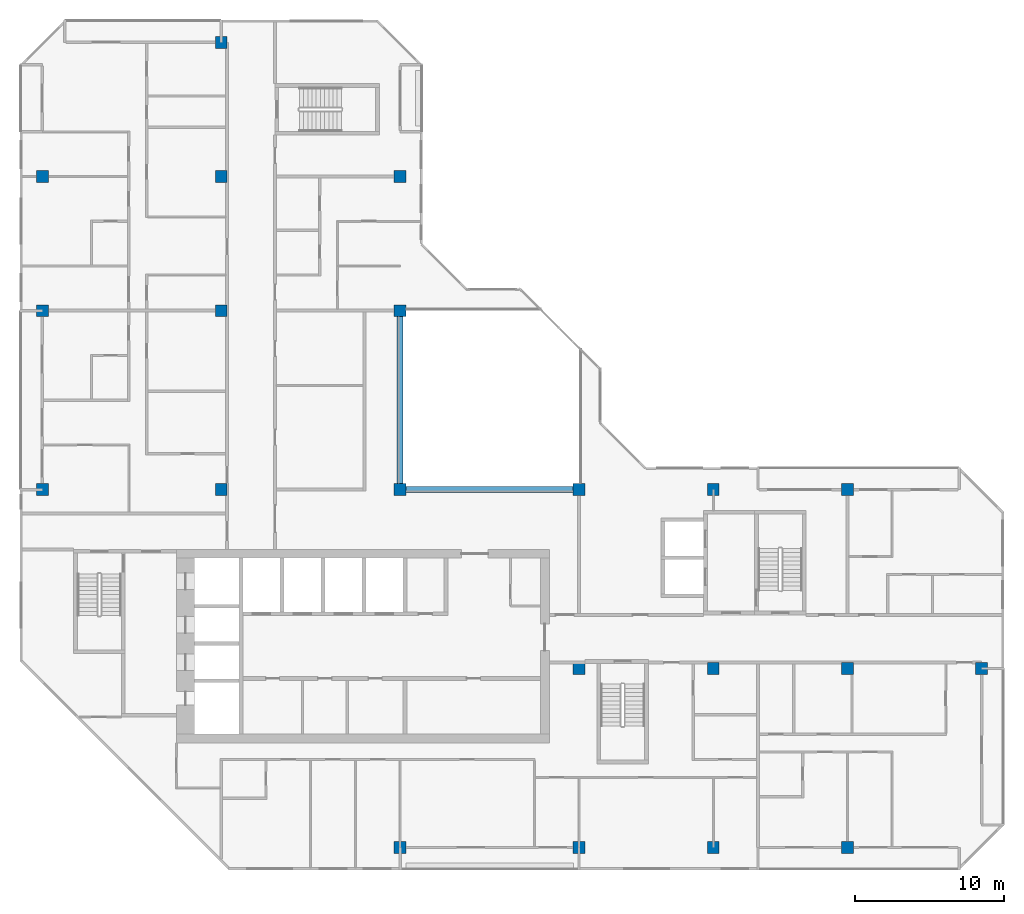
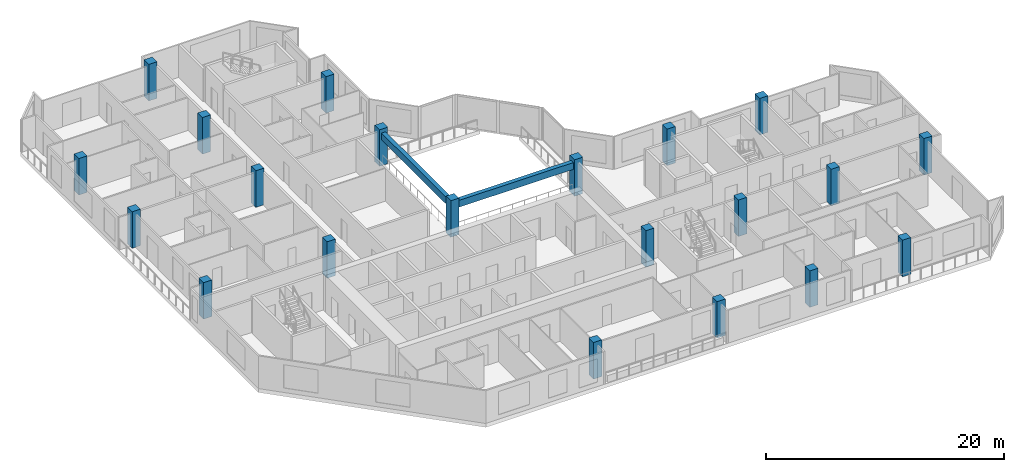
# One storey, part 1 of 13: 21 columns, 2 beams.
"""IFC4 building model written with IfcOpenShell, lengths in metres."""

import ifcopenshell
import ifcopenshell.guid

model = None  # the IFC model being written
_history = None  # IfcOwnerHistory: only IFC2X3 demands one
_inside = {}  # id of a spatial element -> (the spatial element, [elements in it])
_under = {}  # id of a project, library or spatial element -> (it, [spatial elements below it])
_declared = {}  # id of a project -> (the project, [libraries it declares])
_typed = {}  # id of a type object -> (the type object, [elements of that type])
_made_of = {}  # id of a material, layer set ... -> (it, [elements and type objects made of it])


def new_model(schema):
    """Start an empty IFC model of exactly this schema.

    Asked for "IFC4X3", IfcOpenShell would pick the latest addendum, in which some entities
    have other attributes; the version numbers below select the first issue.
    IFC2X3 requires an IfcOwnerHistory on every rooted entity: one is made here for all.
    """
    global model, _history
    if schema == "IFC4X3":
        model = ifcopenshell.file(schema_version=(4, 3, 0, 0))
    else:
        model = ifcopenshell.file(schema=schema)
    _inside.clear()
    _under.clear()
    _declared.clear()
    _typed.clear()
    _made_of.clear()
    _history = None
    if model.schema == "IFC2X3":
        org = make("IfcOrganization", Name="unknown")
        user = make(
            "IfcPersonAndOrganization",
            ThePerson=make("IfcPerson", FamilyName="unknown"),
            TheOrganization=org,
        )
        app = make(
            "IfcApplication",
            ApplicationDeveloper=org,
            Version="unknown",
            ApplicationFullName="unknown",
            ApplicationIdentifier="unknown",
        )
        _history = make(
            "IfcOwnerHistory",
            OwningUser=user,
            OwningApplication=app,
            ChangeAction="ADDED",
            CreationDate=0,
        )
    return model


def make(cls, **values):
    """One entity of the class cls with the attributes given. An attribute that is None is left unset."""
    return model.create_entity(
        cls, **{name: value for name, value in values.items() if value is not None}
    )


def rooted(cls, **values):
    """An entity with a GlobalId (a new one), such as an element, a storey or a relation."""
    return make(cls, GlobalId=ifcopenshell.guid.new(), OwnerHistory=_history, **values)


def si_unit(unit_type, name, prefix=None):
    """IfcSIUnit, for example si_unit("LENGTHUNIT", "METRE", prefix="MILLI")."""
    return make("IfcSIUnit", UnitType=unit_type, Prefix=prefix, Name=name)


def assignment(units):
    """IfcUnitAssignment: the units of a project."""
    return None if units is None else make("IfcUnitAssignment", Units=units)


def point(xyz):
    """IfcCartesianPoint."""
    return None if xyz is None else make("IfcCartesianPoint", Coordinates=xyz)


def direction(xyz):
    """IfcDirection."""
    return None if xyz is None else make("IfcDirection", DirectionRatios=xyz)


def frame(location, z_axis=None, x_axis=None):
    """IfcAxis2Placement3D, a coordinate frame: its origin and axes. An axis left out is left unset."""
    return make(
        "IfcAxis2Placement3D",
        Location=point(location),
        Axis=direction(z_axis),
        RefDirection=direction(x_axis),
    )


def frame_2d(location, x_axis=None):
    """IfcAxis2Placement2D, a coordinate frame in the plane: its origin and x axis."""
    return make(
        "IfcAxis2Placement2D", Location=point(location), RefDirection=direction(x_axis)
    )


def origin():
    """The frame at (0, 0, 0) with its axes left unset."""
    return frame((0.0, 0.0, 0.0))


def origin_2d():
    """The frame at (0, 0) in the plane with its x axis left unset."""
    return frame_2d((0.0, 0.0))


def place(relative_to, where):
    """IfcLocalPlacement: puts the frame where relative to a parent placement (None: the world)."""
    return make(
        "IfcLocalPlacement", PlacementRelTo=relative_to, RelativePlacement=where
    )


def context(
    kind, dimensions, precision=None, world=None, true_north=None, identifier=None
):
    """IfcGeometricRepresentationContext, for example the 3D "Model" context."""
    return make(
        "IfcGeometricRepresentationContext",
        ContextIdentifier=identifier,
        ContextType=kind,
        CoordinateSpaceDimension=dimensions,
        Precision=precision,
        WorldCoordinateSystem=world,
        TrueNorth=true_north,
    )


def subcontext(parent, identifier, kind, view, scale=None):
    """IfcGeometricRepresentationSubContext, for example "Body" below "Model"."""
    return make(
        "IfcGeometricRepresentationSubContext",
        ContextIdentifier=identifier,
        ContextType=kind,
        ParentContext=parent,
        TargetScale=scale,
        TargetView=view,
    )


def project(units=None, contexts=None):
    """IfcProject with its units and contexts."""
    return rooted(
        "IfcProject",
        Name="project",
        RepresentationContexts=contexts,
        UnitsInContext=assignment(units),
    )


def spatial(cls, under=None, at=None, **own):
    """A site, building, storey or space (cls), placed at a placement, below another one or the project."""
    s = rooted(cls, ObjectPlacement=at, **own)
    if under is not None:
        _under.setdefault(under.id(), (under, []))[1].append(s)
    return s


def profile(cls, at=None, kind="AREA", **sizes):
    """A parametric profile (cls). Its sizes go by their IFC names, for example OverallWidth=200.0."""
    return make(cls, ProfileType=kind, Position=at, **sizes)


def rectangle(**sizes):
    """IfcRectangleProfileDef."""
    return profile("IfcRectangleProfileDef", **sizes)


def extrude(swept, where, along, depth):
    """IfcExtrudedAreaSolid: the profile swept, set in the frame where, extruded along a direction by depth."""
    return make(
        "IfcExtrudedAreaSolid",
        SweptArea=swept,
        Position=where,
        ExtrudedDirection=direction(along),
        Depth=depth,
    )


def shape(context_of_items, identifier, shape_type, items):
    """IfcShapeRepresentation: the items that make up one representation, for example the "Body"."""
    return make(
        "IfcShapeRepresentation",
        ContextOfItems=context_of_items,
        RepresentationIdentifier=identifier,
        RepresentationType=shape_type,
        Items=items,
    )


def material(Name=None, Category=None):
    """IfcMaterial."""
    return make("IfcMaterial", Name=Name, Category=Category)


def material_profile(
    of_material, cross_section, Name=None, Category=None, Priority=None
):
    """IfcMaterialProfile: a cross section and its material."""
    return make(
        "IfcMaterialProfile",
        Name=Name,
        Material=of_material,
        Profile=cross_section,
        Priority=Priority,
        Category=Category,
    )


def profile_set(profiles, Name=None, composite=None):
    """IfcMaterialProfileSet."""
    return make(
        "IfcMaterialProfileSet",
        Name=Name,
        MaterialProfiles=profiles,
        CompositeProfile=composite,
    )


def made_of(thing, what):
    """Note that an element or type object is made of a material, layer set ...; save() writes the relation."""
    if what is not None:
        _made_of.setdefault(what.id(), (what, []))[1].append(thing)
    return thing


def type_object(cls, material=None, **own):
    """A type object (cls), such as IfcWallType, which elements share."""
    return made_of(rooted(cls, **own), material)


def element(
    cls,
    number,
    at=None,
    inside=None,
    cuts=None,
    type_object=None,
    material=None,
    context=None,
    identifier="Body",
    shape_type=None,
    held_by="IfcProductDefinitionShape",
    body=None,
    shapes=None,
    **own,
):
    """One element of the class cls, such as IfcWall. Its Tag is "e" and its number.

    at: its placement. inside: the storey or other place that contains it. cuts: it is an
    opening in that element (IfcRelVoidsElement). A single representation is given by context,
    identifier, shape_type and body (its items); several are given by shapes. held_by: the class
    of the entity that holds the representations. save() writes the other relations.
    """
    e = rooted(cls, Tag="e%d" % number, ObjectPlacement=at, **own)
    if body is not None:
        shapes = [shape(context, identifier, shape_type, body)]
    if shapes is not None:
        e.Representation = make(held_by, Representations=shapes)
    if inside is not None:
        _inside.setdefault(inside.id(), (inside, []))[1].append(e)
    if cuts is not None:
        rooted(
            "IfcRelVoidsElement", RelatingBuildingElement=cuts, RelatedOpeningElement=e
        )
    if type_object is not None:
        _typed.setdefault(type_object.id(), (type_object, []))[1].append(e)
    return made_of(e, material)


def aggregate(whole, parts):
    """IfcRelAggregates: a whole, such as a stair, and the parts it consists of."""
    return rooted("IfcRelAggregates", RelatingObject=whole, RelatedObjects=parts)


def save(model, path):
    """Write the relations noted so far, then the file.

    IfcRelAggregates (storeys below a building ...), IfcRelContainedInSpatialStructure (elements
    in a storey), IfcRelDefinesByType, IfcRelAssociatesMaterial and IfcRelDeclares: one each for
    every whole, place, type object, material and project.
    """
    for whole, parts in _under.values():
        aggregate(whole, parts)
    for where, things in _inside.values():
        rooted(
            "IfcRelContainedInSpatialStructure",
            RelatedElements=things,
            RelatingStructure=where,
        )
    for kind, things in _typed.values():
        rooted("IfcRelDefinesByType", RelatedObjects=things, RelatingType=kind)
    for what, things in _made_of.values():
        rooted("IfcRelAssociatesMaterial", RelatedObjects=things, RelatingMaterial=what)
    for by, libraries in _declared.values():
        rooted("IfcRelDeclares", RelatingContext=by, RelatedDefinitions=libraries)
    model.write(path)


model = new_model("IFC4")

# Units and contexts
model_context = context("Model", 3, precision=1e-05, world=origin(), true_north=direction((0.0, 1.0)))
body_context = subcontext(model_context, "Body", "Model", "MODEL_VIEW")
ifc_project = project(units=[si_unit("LENGTHUNIT", "METRE"), si_unit("AREAUNIT", "SQUARE_METRE"), si_unit("VOLUMEUNIT", "CUBIC_METRE"), si_unit("PLANEANGLEUNIT", "RADIAN"), si_unit("MASSUNIT", "GRAM", prefix="KILO")], contexts=[model_context])

# Site, building, storey
site_placement = place(None, origin())
site = spatial("IfcSite", under=ifc_project, at=site_placement, CompositionType="ELEMENT")
building_placement = place(site_placement, origin())
building = spatial("IfcBuilding", under=site, at=building_placement, Name="Chenar Terraces", CompositionType="ELEMENT")
storey_placement = place(building_placement, frame((0.0, 0.0, 307.14990234375)))
storey = spatial("IfcBuildingStorey", under=building, at=storey_placement, Name="L72", CompositionType="ELEMENT", Elevation=307.14990234375)

# Columns
ifc_material_1 = material(Name="Concrete C50/60", Category="concrete")
ifc_material_profile_1 = material_profile(ifc_material_1, rectangle(XDim=0.800048828125, YDim=0.800048828125, at=origin_2d()), Name="C 800 x 800")
ifc_profile_set_1 = profile_set([ifc_material_profile_1], Name="Concrete C50/60")
column_type = type_object("IfcColumnType", Name="Column C 800 x 800 Concrete C50/60", PredefinedType="COLUMN", material=ifc_profile_set_1)
column_1_placement = place(storey_placement, frame((0.0, 24.0, 0.0), z_axis=(0.0, 0.0, 1.0), x_axis=(1.0, 0.0, 0.0)))
element("IfcColumn", 1, at=column_1_placement, inside=storey, type_object=column_type, Name="Column 5/G L72", PredefinedType="COLUMN", context=body_context, shape_type="SweptSolid", body=[
    extrude(rectangle(XDim=0.800048828125, YDim=0.800048828125, at=origin_2d()), origin(), (0.0, 0.0, 1.0), 3.75),
])
column_2_placement = place(storey_placement, frame((0.0, 36.0, 0.0), z_axis=(0.0, 0.0, 1.0), x_axis=(1.0, 0.0, 0.0)))
element("IfcColumn", 2, at=column_2_placement, inside=storey, type_object=column_type, Name="Column 5/H L72", PredefinedType="COLUMN", context=body_context, shape_type="SweptSolid", body=[
    extrude(rectangle(XDim=0.800048828125, YDim=0.800048828125, at=origin_2d()), origin(), (0.0, 0.0, 1.0), 3.75),
])
for number, where, z_axis, x_axis, name in (
    (3, (0.0, 45.0, 0.0), (0.0, 0.0, 1.0), (1.0, 0.0, 0.0), "Column 5/J L72"),
    (4, (12.0, 24.0, 0.0), (0.0, 0.0, 1.0), (1.0, 0.0, 0.0), "Column 6/G L72"),
    (5, (12.0, 36.0, 0.0), (0.0, 0.0, 1.0), (1.0, 0.0, 0.0), "Column 6/H L72"),
    (6, (12.0, 45.0, 0.0), (0.0, 0.0, 1.0), (1.0, 0.0, 0.0), "Column 6/J L72"),
    (7, (12.0, 54.0, 0.0), (0.0, 0.0, 1.0), (1.0, 0.0, 0.0), "Column 6/K L72"),
    (8, (24.0, 0.0, 0.0), (0.0, 0.0, 1.0), (1.0, 0.0, 0.0), "Column 7/E L72"),
    (9, (24.0, 24.0, 0.0), (0.0, 0.0, 1.0), (1.0, 0.0, 0.0), "Column 7/G L72"),
    (10, (24.0, 36.0, 0.0), (0.0, 0.0, 1.0), (1.0, 0.0, 0.0), "Column 7/H L72"),
    (11, (24.0, 45.0, 0.0), (0.0, 0.0, 1.0), (1.0, 0.0, 0.0), "Column 7/J L72"),
    (12, (36.0, 0.0, 0.0), (0.0, 0.0, 1.0), (1.0, 0.0, 0.0), "Column 8/E L72"),
    (13, (36.0, 12.0, 0.0), (0.0, 0.0, 1.0), (1.0, 0.0, 0.0), "Column 8/F L72"),
    (14, (36.0, 24.0, 0.0), (0.0, 0.0, 1.0), (1.0, 0.0, 0.0), "Column 8/G L72"),
    (15, (45.0, 0.0, 0.0), (0.0, 0.0, 1.0), (1.0, 0.0, 0.0), "Column 9/E L72"),
    (16, (45.0, 12.0, 0.0), (0.0, 0.0, 1.0), (1.0, 0.0, 0.0), "Column 9/F L72"),
    (17, (45.0, 24.0, 0.0), (0.0, 0.0, 1.0), (1.0, 0.0, 0.0), "Column 9/G L72"),
    (18, (54.0, 0.0, 0.0), (0.0, 0.0, 1.0), (1.0, 0.0, 0.0), "Column 10/E L72"),
    (19, (54.0, 12.0, 0.0), (0.0, 0.0, 1.0), (1.0, 0.0, 0.0), "Column 10/F L72"),
    (20, (54.0, 24.0, 0.0), (0.0, 0.0, 1.0), (1.0, 0.0, 0.0), "Column 10/G L72"),
    (21, (63.0, 12.0, 0.0), (0.0, 0.0, 1.0), (1.0, 0.0, 0.0), "Column 11/F L72"),
):
    element("IfcColumn", number, at=place(storey_placement, frame(where, z_axis=z_axis, x_axis=x_axis)), inside=storey, type_object=column_type, Name=name, PredefinedType="COLUMN", context=body_context, shape_type="SweptSolid", body=[
        extrude(rectangle(XDim=0.800048828125, YDim=0.800048828125, at=origin_2d()), origin(), (0.0, 0.0, 1.0), 3.75),
    ])

# Beams
ifc_material_2 = material(Name="Concrete C40/50", Category="concrete")
ifc_material_profile_2 = material_profile(ifc_material_2, rectangle(XDim=0.39990234375, YDim=0.699951171875, at=origin_2d()), Name="RC 400 x 700")
ifc_profile_set_2 = profile_set([ifc_material_profile_2], Name="Concrete C40/50")
beam_type = type_object("IfcBeamType", Name="Atrium edge beam 400 x 700 Concrete C40/50", PredefinedType="BEAM", material=ifc_profile_set_2)
for number, where, z_axis, x_axis, name in (
    (22, (24.39990234375, 24.0, 3.0), (1.0, 0.0, 0.0), (0.0, 1.0, 0.0), "Atrium edge beam L73 1"),
    (23, (24.0, 35.60009765625, 3.0), (0.0, -1.0, 0.0), (1.0, 0.0, 0.0), "Atrium edge beam L73 4"),
):
    element("IfcBeam", number, at=place(storey_placement, frame(where, z_axis=z_axis, x_axis=x_axis)), inside=storey, type_object=beam_type, Name=name, PredefinedType="BEAM", context=body_context, shape_type="SweptSolid", body=[
        extrude(rectangle(XDim=0.39990234375, YDim=0.699951171875, at=origin_2d()), origin(), (0.0, 0.0, 1.0), 11.2001953125),
    ])

save(model, "model.ifc")
